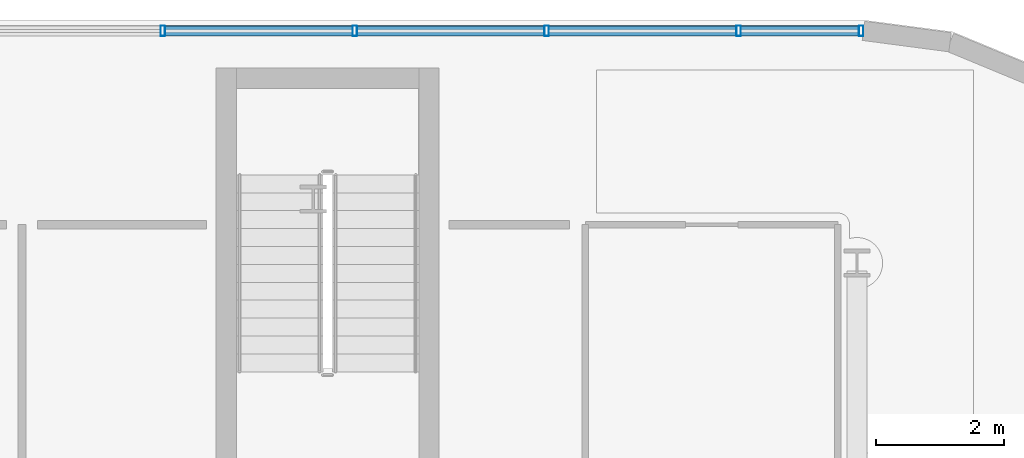
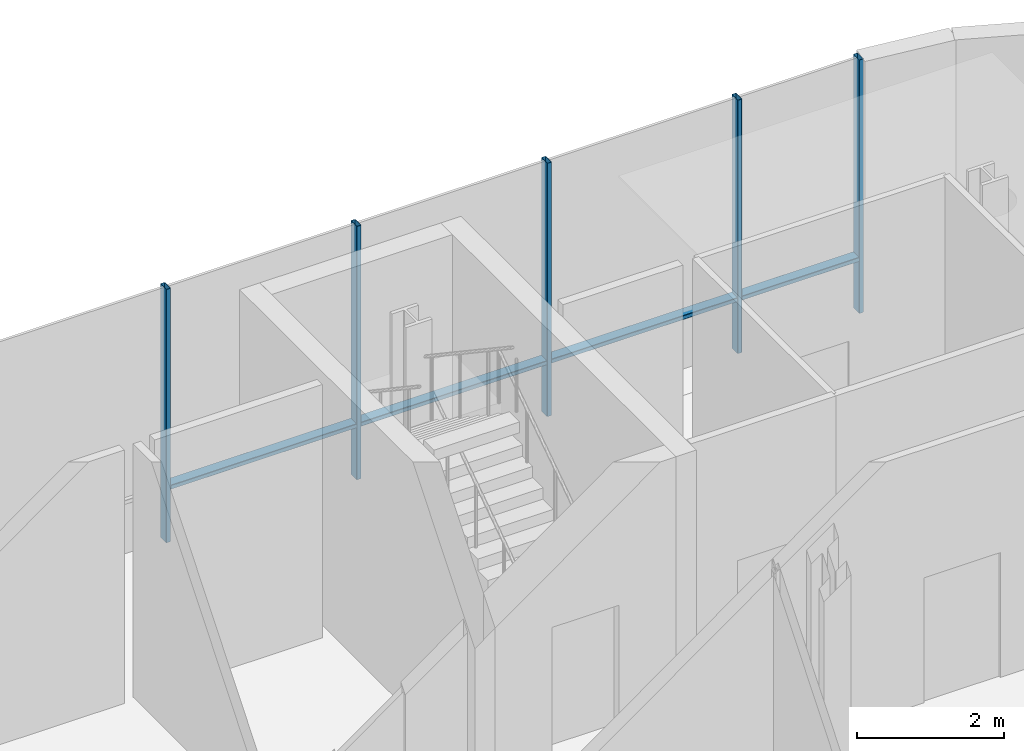
# One storey, part 12 of 25: 9 members, 1 element without a shape of its own.
"""IFC4 building model written with IfcOpenShell, lengths in metres."""

from ifc_helpers import new_model, si_unit, direction, frame, origin, origin_2d, place, context, subcontext, project, spatial, hollow_rectangle, extrude, material, layer, layer_set, material_profile, profile_set, type_object, element, aggregate, save


model = new_model("IFC4")

# Units and contexts
model_context = context("Model", 3, precision=1e-05, world=origin(), true_north=direction((0.0, 1.0)))
body_context = subcontext(model_context, "Body", "Model", "MODEL_VIEW")
ifc_project = project(units=[si_unit("LENGTHUNIT", "METRE"), si_unit("AREAUNIT", "SQUARE_METRE"), si_unit("VOLUMEUNIT", "CUBIC_METRE"), si_unit("PLANEANGLEUNIT", "RADIAN"), si_unit("MASSUNIT", "GRAM", prefix="KILO")], contexts=[model_context])

# Site, building, storey
site_placement = place(None, origin())
site = spatial("IfcSite", under=ifc_project, at=site_placement, CompositionType="ELEMENT")
building_placement = place(site_placement, origin())
building = spatial("IfcBuilding", under=site, at=building_placement, Name="Brevholm Reach", CompositionType="ELEMENT")
storey_placement = place(building_placement, frame((0.0, 0.0, 9.0)))
storey = spatial("IfcBuildingStorey", under=building, at=storey_placement, Name="L02", CompositionType="ELEMENT", Elevation=9.0)

# Curtain wall, members
ifc_material_1 = material(Name="Dark Anodised Aluminium 6063-T6 and Solar-Control Glass", Category="aluminium")
ifc_layer = layer(ifc_material_1, 0.1650390625)
ifc_layer_set = layer_set([ifc_layer], Name="Dark Anodised Aluminium 6063-T6 and Solar-Control Glass")
curtain_wall_type = type_object("IfcCurtainWallType", Name="CW-03", PredefinedType="NOTDEFINED", material=ifc_layer_set)
curtain_wall_placement = place(storey_placement, origin())
curtain_wall = element("IfcCurtainWall", 1, at=curtain_wall_placement, inside=storey, type_object=curtain_wall_type, Name="L02 Curtain Wall CW-03", PredefinedType="NOTDEFINED")
ifc_material_2 = material(Name="Dark Anodised Aluminium 6063-T6", Category="aluminium")
ifc_material_profile_1 = material_profile(ifc_material_2, hollow_rectangle(XDim=0.070068359375, YDim=0.1650390625, WallThickness=0.0048828125, InnerFilletRadius=0.0048828125, OuterFilletRadius=0.010009765625, at=origin_2d()), Name="RHS 165x70x5")
ifc_profile_set_1 = profile_set([ifc_material_profile_1], Name="Dark Anodised Aluminium 6063-T6")
member_type_1 = type_object("IfcMemberType", Name="CWM-165", PredefinedType="MULLION", material=ifc_profile_set_1)
member_1_placement = place(storey_placement, frame((54.64990234375, 39.830078125, 0.0), z_axis=(0.0, 0.0, 1.0), x_axis=(1.0, 0.0, 0.0)))
member_1 = element("IfcMember", 2, at=member_1_placement, type_object=member_type_1, Name="CM-165 Mullion 3", PredefinedType="MULLION", context=body_context, shape_type="SweptSolid", body=[
    extrude(hollow_rectangle(XDim=0.070068359375, YDim=0.1650390625, WallThickness=0.0048828125, InnerFilletRadius=0.0048828125, OuterFilletRadius=0.010009765625, at=origin_2d()), origin(), (0.0, 0.0, 1.0), 4.219970703125),
])
member_2_placement = place(storey_placement, frame((57.64990234375, 39.830078125, 0.0), z_axis=(0.0, 0.0, 1.0), x_axis=(1.0, 0.0, 0.0)))
member_2 = element("IfcMember", 3, at=member_2_placement, type_object=member_type_1, Name="CM-165 Mullion 4", PredefinedType="MULLION", context=body_context, shape_type="SweptSolid", body=[
    extrude(hollow_rectangle(XDim=0.070068359375, YDim=0.1650390625, WallThickness=0.0048828125, InnerFilletRadius=0.0048828125, OuterFilletRadius=0.010009765625, at=origin_2d()), origin(), (0.0, 0.0, 1.0), 4.219970703125),
])
member_3_placement = place(storey_placement, frame((60.64990234375, 39.830078125, 0.0), z_axis=(0.0, 0.0, 1.0), x_axis=(1.0, 0.0, 0.0)))
member_3 = element("IfcMember", 4, at=member_3_placement, type_object=member_type_1, Name="CM-165 Mullion 5", PredefinedType="MULLION", context=body_context, shape_type="SweptSolid", body=[
    extrude(hollow_rectangle(XDim=0.070068359375, YDim=0.1650390625, WallThickness=0.0048828125, InnerFilletRadius=0.0048828125, OuterFilletRadius=0.010009765625, at=origin_2d()), origin(), (0.0, 0.0, 1.0), 4.219970703125),
])
member_4_placement = place(storey_placement, frame((63.64990234375, 39.830078125, 0.0), z_axis=(0.0, 0.0, 1.0), x_axis=(1.0, 0.0, 0.0)))
member_4 = element("IfcMember", 5, at=member_4_placement, type_object=member_type_1, Name="CM-165 Mullion 6", PredefinedType="MULLION", context=body_context, shape_type="SweptSolid", body=[
    extrude(hollow_rectangle(XDim=0.070068359375, YDim=0.1650390625, WallThickness=0.0048828125, InnerFilletRadius=0.0048828125, OuterFilletRadius=0.010009765625, at=origin_2d()), origin(), (0.0, 0.0, 1.0), 4.219970703125),
])
member_5_placement = place(storey_placement, frame((65.56494140625, 39.830078125, 0.0), z_axis=(0.0, 0.0, 1.0), x_axis=(1.0, 0.0, 0.0)))
member_5 = element("IfcMember", 6, at=member_5_placement, type_object=member_type_1, Name="CM-165 Mullion 7", PredefinedType="MULLION", context=body_context, shape_type="SweptSolid", body=[
    extrude(hollow_rectangle(XDim=0.070068359375, YDim=0.1650390625, WallThickness=0.0048828125, InnerFilletRadius=0.0048828125, OuterFilletRadius=0.010009765625, at=origin_2d()), origin(), (0.0, 0.0, 1.0), 4.219970703125),
])
ifc_material_3 = material(Name="Dark Anodised Aluminium 6063-T6", Category="aluminium")
ifc_material_profile_2 = material_profile(ifc_material_3, hollow_rectangle(XDim=0.070068359375, YDim=0.1650390625, WallThickness=0.0048828125, InnerFilletRadius=0.0048828125, OuterFilletRadius=0.010009765625, at=origin_2d()), Name="RHS 165x70x5")
ifc_profile_set_2 = profile_set([ifc_material_profile_2], Name="Dark Anodised Aluminium 6063-T6")
member_type_2 = type_object("IfcMemberType", Name="CWT-165", PredefinedType="NOTDEFINED", material=ifc_profile_set_2)
member_6_placement = place(storey_placement, frame((54.68505859375, 39.830078125, 0.89990234375), z_axis=(1.0, 0.0, 0.0), x_axis=(0.0, 0.0, 1.0)))
member_6 = element("IfcMember", 7, at=member_6_placement, type_object=member_type_2, Name="CT-165 Transom 3.1", ObjectType="TRANSOM", PredefinedType="USERDEFINED", context=body_context, shape_type="SweptSolid", body=[
    extrude(hollow_rectangle(XDim=0.070068359375, YDim=0.1650390625, WallThickness=0.0048828125, InnerFilletRadius=0.0048828125, OuterFilletRadius=0.010009765625, at=origin_2d()), origin(), (0.0, 0.0, 1.0), 2.929931640625),
])
member_7_placement = place(storey_placement, frame((57.68505859375, 39.830078125, 0.89990234375), z_axis=(1.0, 0.0, 0.0), x_axis=(0.0, 0.0, 1.0)))
member_7 = element("IfcMember", 8, at=member_7_placement, type_object=member_type_2, Name="CT-165 Transom 4.1", ObjectType="TRANSOM", PredefinedType="USERDEFINED", context=body_context, shape_type="SweptSolid", body=[
    extrude(hollow_rectangle(XDim=0.070068359375, YDim=0.1650390625, WallThickness=0.0048828125, InnerFilletRadius=0.0048828125, OuterFilletRadius=0.010009765625, at=origin_2d()), origin(), (0.0, 0.0, 1.0), 2.929931640625),
])
member_8_placement = place(storey_placement, frame((60.68505859375, 39.830078125, 0.89990234375), z_axis=(1.0, 0.0, 0.0), x_axis=(0.0, 0.0, 1.0)))
member_8 = element("IfcMember", 9, at=member_8_placement, type_object=member_type_2, Name="CT-165 Transom 5.1", ObjectType="TRANSOM", PredefinedType="USERDEFINED", context=body_context, shape_type="SweptSolid", body=[
    extrude(hollow_rectangle(XDim=0.070068359375, YDim=0.1650390625, WallThickness=0.0048828125, InnerFilletRadius=0.0048828125, OuterFilletRadius=0.010009765625, at=origin_2d()), origin(), (0.0, 0.0, 1.0), 2.929931640625),
])
member_9_placement = place(storey_placement, frame((63.68505859375, 39.830078125, 0.89990234375), z_axis=(1.0, 0.0, 0.0), x_axis=(0.0, 0.0, 1.0)))
member_9 = element("IfcMember", 10, at=member_9_placement, type_object=member_type_2, Name="CT-165 Transom 6.1", ObjectType="TRANSOM", PredefinedType="USERDEFINED", context=body_context, shape_type="SweptSolid", body=[
    extrude(hollow_rectangle(XDim=0.070068359375, YDim=0.1650390625, WallThickness=0.0048828125, InnerFilletRadius=0.0048828125, OuterFilletRadius=0.010009765625, at=origin_2d()), origin(), (0.0, 0.0, 1.0), 1.844970703125),
])
aggregate(curtain_wall, [member_1, member_2, member_3, member_4, member_5, member_6, member_7, member_8, member_9])

save(model, "model.ifc")
